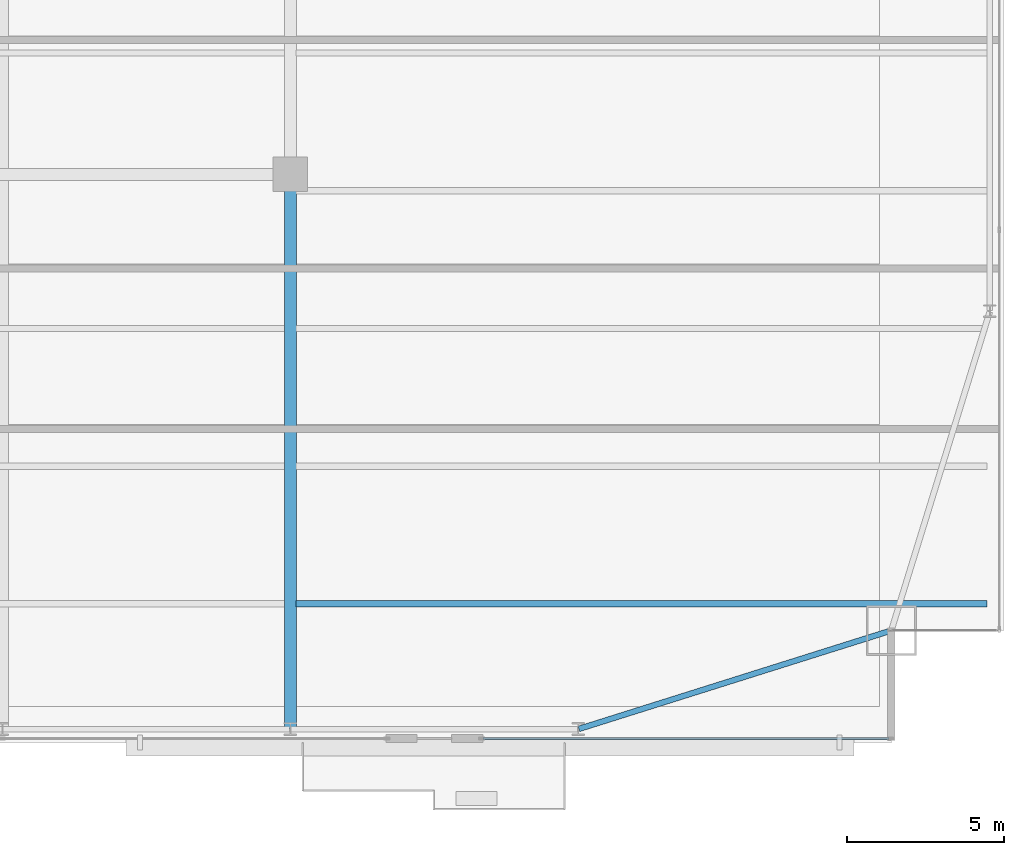
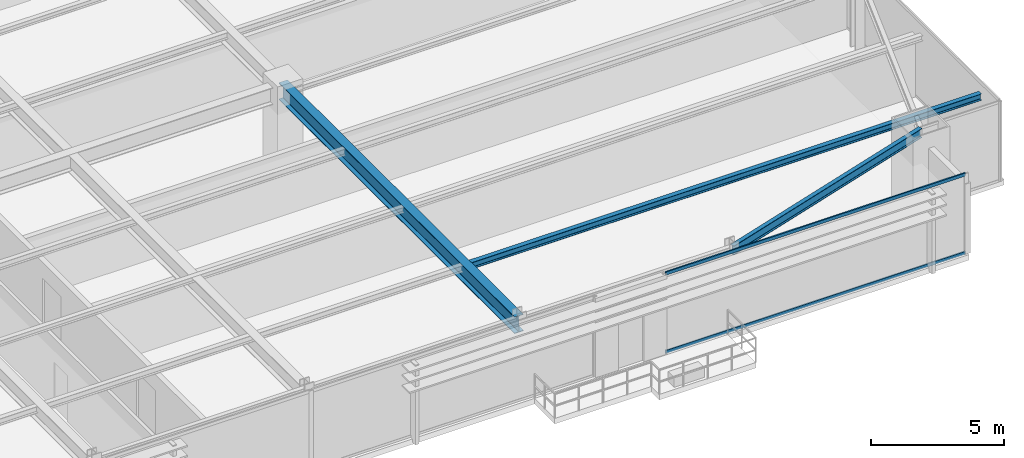
# One storey, part 13 of 29: 3 beams, 2 members, 1 element without a shape of its own.
"""IFC4 building model written with IfcOpenShell, lengths in metres."""

from ifc_helpers import new_model, si_unit, direction, frame, origin, origin_2d, place, context, subcontext, project, spatial, hollow_rectangle, i_section, extrude, source, transform, mapped, material, layer, layer_set, material_profile, profile_set, type_object, type_shapes, element, aggregate, save


model = new_model("IFC4")

# Units and contexts
model_context = context("Model", 3, precision=1e-05, world=origin(), true_north=direction((0.0, 1.0)))
body_context = subcontext(model_context, "Body", "Model", "MODEL_VIEW")
ifc_project = project(units=[si_unit("LENGTHUNIT", "METRE"), si_unit("AREAUNIT", "SQUARE_METRE"), si_unit("VOLUMEUNIT", "CUBIC_METRE"), si_unit("PLANEANGLEUNIT", "RADIAN"), si_unit("MASSUNIT", "GRAM", prefix="KILO")], contexts=[model_context])

# Site, building, storey
site_placement = place(None, origin())
site = spatial("IfcSite", under=ifc_project, at=site_placement, CompositionType="ELEMENT")
building_placement = place(site_placement, origin())
building = spatial("IfcBuilding", under=site, at=building_placement, Name="Varnel Quay Broadcast Tower", CompositionType="ELEMENT")
storey_placement = place(building_placement, frame((0.0, 0.0, 74.39990234375)))
storey = spatial("IfcBuildingStorey", under=building, at=storey_placement, Name="L17", CompositionType="ELEMENT", Elevation=74.39990234375)

# Beams
ifc_material_1 = material(Name="Structural Steel CSA G40.21 350W", Category="steel")
ifc_material_profile_1 = material_profile(ifc_material_1, i_section(OverallWidth=0.180908203125, OverallDepth=0.4169921875, WebThickness=0.010986328125, FlangeThickness=0.018310546875, FilletRadius=0.011962890625, at=origin_2d()), Name="W410X85")
ifc_profile_set_1 = profile_set([ifc_material_profile_1], Name="Structural Steel CSA G40.21 350W")
beam_type_1 = type_object("IfcBeamType", Name="Beam_W410X85", PredefinedType="SPANDREL", material=ifc_profile_set_1)
shared_shape_1 = source(origin(), body_context, "Body", "SweptSolid", [
    extrude(i_section(OverallWidth=0.180908203125, OverallDepth=0.4169921875, WebThickness=0.010986328125, FlangeThickness=0.018310546875, FilletRadius=0.011962890625, at=origin_2d()), origin(), (0.0, 0.0, 1.0), 10.444091796875),
])
type_shapes(beam_type_1, [shared_shape_1])
beam_1_placement = place(storey_placement, frame((52.419189453125, 1.656005859375, 3.441650390625), z_axis=(0.953798277271, 0.300447743003, 0.0), x_axis=(-0.300447743003, 0.953798277271, 0.0)))
element("IfcBeam", 1, at=beam_1_placement, inside=storey, type_object=beam_type_1, Name="L17 South Spandrel TC-S5-MC-SE", PredefinedType="SPANDREL", context=body_context, shape_type="MappedRepresentation", body=[
    mapped(shared_shape_1, transform((0.0, 0.0, 0.0), x_axis=(1.0, 0.0, 0.0), y_axis=(0.0, 1.0, 0.0), z_axis=(0.0, 0.0, 1.0), scale=1.0)),
])
ifc_material_profile_2 = material_profile(ifc_material_1, i_section(OverallWidth=0.381103515625, OverallDepth=0.77294921875, WebThickness=0.0166015625, FlangeThickness=0.027587890625, FilletRadius=0.01806640625, at=origin_2d()), Name="W760X257")
ifc_profile_set_2 = profile_set([ifc_material_profile_2], Name="Structural Steel CSA G40.21 350W")
beam_type_2 = type_object("IfcBeamType", Name="Girder_W760X257", PredefinedType="BEAM", material=ifc_profile_set_2)
shared_shape_2 = source(origin(), body_context, "Body", "SweptSolid", [
    extrude(i_section(OverallWidth=0.381103515625, OverallDepth=0.77294921875, WebThickness=0.0166015625, FlangeThickness=0.027587890625, FilletRadius=0.01806640625, at=origin_2d()), origin(), (0.0, 0.0, 1.0), 17.68017578125),
])
type_shapes(beam_type_2, [shared_shape_2])
beam_2_placement = place(storey_placement, frame((43.199951171875, 1.669921875, 3.263671875), z_axis=(0.0, 1.0, 0.0), x_axis=(-1.0, 0.0, 0.0)))
element("IfcBeam", 2, at=beam_2_placement, inside=storey, type_object=beam_type_2, Name="L17 Primary Girder TC-S4-IC-02", PredefinedType="BEAM", context=body_context, shape_type="MappedRepresentation", body=[
    mapped(shared_shape_2, transform((0.0, 0.0, 0.0), x_axis=(1.0, 0.0, 0.0), y_axis=(0.0, 1.0, 0.0), z_axis=(0.0, 0.0, 1.0), scale=1.0)),
])
ifc_material_profile_3 = material_profile(ifc_material_1, i_section(OverallWidth=0.202880859375, OverallDepth=0.302978515625, WebThickness=0.007568359375, FlangeThickness=0.01318359375, FilletRadius=0.011962890625, at=origin_2d()), Name="W310X60")
ifc_profile_set_3 = profile_set([ifc_material_profile_3], Name="Structural Steel CSA G40.21 350W")
beam_type_3 = type_object("IfcBeamType", Name="Beam_W310X60", PredefinedType="JOIST", material=ifc_profile_set_3)
shared_shape_3 = source(origin(), body_context, "Body", "SweptSolid", [
    extrude(i_section(OverallWidth=0.202880859375, OverallDepth=0.302978515625, WebThickness=0.007568359375, FlangeThickness=0.01318359375, FilletRadius=0.011962890625, at=origin_2d()), origin(), (0.0, 0.0, 1.0), 22.0791015625),
])
type_shapes(beam_type_3, [shared_shape_3])
beam_3_placement = place(storey_placement, frame((43.385498046875, 5.64990234375, 3.49853515625), z_axis=(1.0, 0.0, 0.0), x_axis=(0.0, 1.0, 0.0)))
element("IfcBeam", 3, at=beam_3_placement, inside=storey, type_object=beam_type_3, Name="L17 East Floor Joist 1", PredefinedType="JOIST", context=body_context, shape_type="MappedRepresentation", body=[
    mapped(shared_shape_3, transform((0.0, 0.0, 0.0), x_axis=(1.0, 0.0, 0.0), y_axis=(0.0, 1.0, 0.0), z_axis=(0.0, 0.0, 1.0), scale=1.0)),
])

# Curtain wall, members
ifc_material_2 = material(Name="Anodised Bronze Aluminium 6063-T6", Category="aluminium")
ifc_layer = layer(ifc_material_2, 0.18994140625, Name="Anodised Bronze Aluminium 6063-T6")
ifc_layer_set = layer_set([ifc_layer], Name="Anodised Bronze Aluminium 6063-T6")
curtain_wall_type = type_object("IfcCurtainWallType", Name="CW_LowerTower", PredefinedType="NOTDEFINED", material=ifc_layer_set)
curtain_wall_placement = place(storey_placement, origin())
curtain_wall = element("IfcCurtainWall", 4, at=curtain_wall_placement, inside=storey, type_object=curtain_wall_type, Name="L17 South Unitised Curtain Wall 3", PredefinedType="NOTDEFINED")
ifc_material_profile_4 = material_profile(ifc_material_2, hollow_rectangle(XDim=0.06005859375, YDim=0.14501953125, WallThickness=0.00341796875, at=origin_2d()), Name="ALU60X145X3.5")
ifc_profile_set_4 = profile_set([ifc_material_profile_4], Name="Anodised Bronze Aluminium 6063-T6")
member_type = type_object("IfcMemberType", Name="Tran_CWS-02", PredefinedType="USERDEFINED", material=ifc_profile_set_4)
shared_shape_4 = source(origin(), body_context, "Body", "SweptSolid", [
    extrude(hollow_rectangle(XDim=0.06005859375, YDim=0.14501953125, WallThickness=0.00341796875, at=origin_2d()), origin(), (0.0, 0.0, 1.0), 12.97998046875),
])
type_shapes(member_type, [shared_shape_4])
member_1_placement = place(storey_placement, frame((49.35009765625, 1.35009765625, 0.030029296875), z_axis=(1.0, 0.0, 0.0), x_axis=(0.0, 1.0, 0.0)))
member_1 = element("IfcMember", 5, at=member_1_placement, type_object=member_type, Name="CWS-02 transom 1.1", ObjectType="TRANSOM", PredefinedType="USERDEFINED", context=body_context, shape_type="MappedRepresentation", body=[
    mapped(shared_shape_4, transform((0.0, 0.0, 0.0), x_axis=(1.0, 0.0, 0.0), y_axis=(0.0, 1.0, 0.0), z_axis=(0.0, 0.0, 1.0), scale=1.0)),
])
member_2_placement = place(storey_placement, frame((49.35009765625, 1.35009765625, 3.6201171875), z_axis=(1.0, 0.0, 0.0), x_axis=(0.0, 1.0, 0.0)))
member_2 = element("IfcMember", 6, at=member_2_placement, type_object=member_type, Name="CWS-02 transom 1.2", ObjectType="TRANSOM", PredefinedType="USERDEFINED", context=body_context, shape_type="MappedRepresentation", body=[
    mapped(shared_shape_4, transform((0.0, 0.0, 0.0), x_axis=(1.0, 0.0, 0.0), y_axis=(0.0, 1.0, 0.0), z_axis=(0.0, 0.0, 1.0), scale=1.0)),
])
aggregate(curtain_wall, [member_1, member_2])

save(model, "model.ifc")
